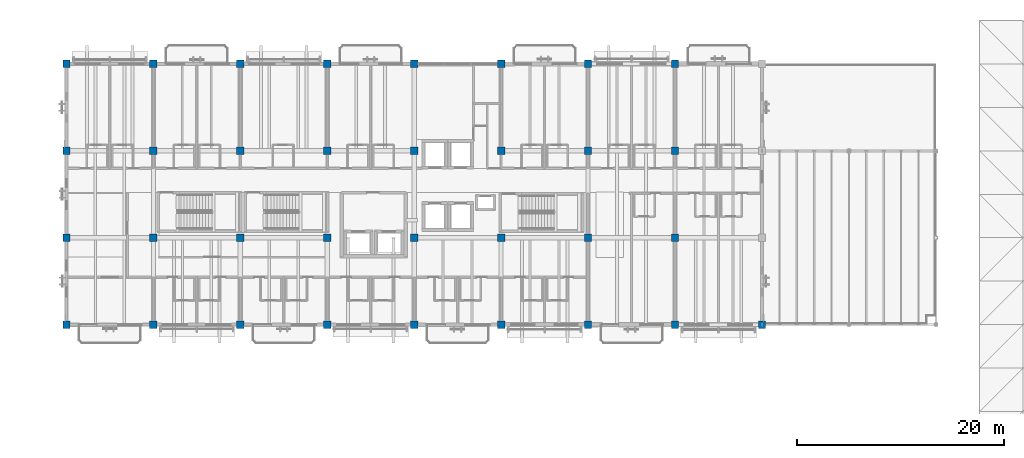
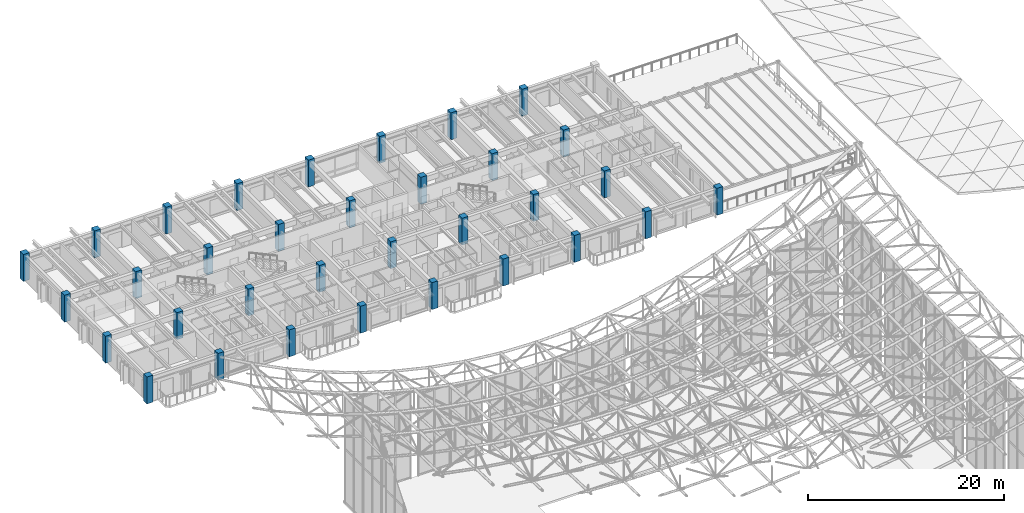
# One storey, part 1 of 93: 33 columns.
"""IFC4 building model written with IfcOpenShell, lengths in metres."""

from ifc_helpers import new_model, si_unit, direction, frame, origin, origin_2d, place, context, subcontext, project, spatial, rectangle, extrude, material, material_profile, profile_set, type_object, element, save


model = new_model("IFC4")

# Units and contexts
model_context = context("Model", 3, precision=1e-05, world=origin(), true_north=direction((0.0, 1.0)))
body_context = subcontext(model_context, "Body", "Model", "MODEL_VIEW")
ifc_project = project(units=[si_unit("LENGTHUNIT", "METRE"), si_unit("AREAUNIT", "SQUARE_METRE"), si_unit("VOLUMEUNIT", "CUBIC_METRE"), si_unit("PLANEANGLEUNIT", "RADIAN"), si_unit("MASSUNIT", "GRAM", prefix="KILO")], contexts=[model_context])

# Site, building, storey
site_placement = place(None, origin())
site = spatial("IfcSite", under=ifc_project, at=site_placement, CompositionType="ELEMENT")
building_placement = place(site_placement, origin())
building = spatial("IfcBuilding", under=site, at=building_placement, Name="Cumbredor Promenade Congress Hotel", CompositionType="ELEMENT")
storey_placement = place(building_placement, frame((0.0, 0.0, 21.840087890625)))
storey = spatial("IfcBuildingStorey", under=building, at=storey_placement, Name="L06", CompositionType="ELEMENT", Elevation=21.840087890625)

# Columns
ifc_material = material(Name="Concrete C40/50", Category="concrete")
ifc_material_profile = material_profile(ifc_material, rectangle(XDim=0.699951171875, YDim=0.699951171875, at=origin_2d()), Name="RC 700x700")
ifc_profile_set = profile_set([ifc_material_profile], Name="Concrete C40/50")
column_type = type_object("IfcColumnType", Name="COL-RC-700", PredefinedType="COLUMN", material=ifc_profile_set)
for number, where, z_axis, x_axis, name in (
    (1, (0.0, 92.39990234375, 0.0), (0.0, 0.0, 1.0), (1.0, 0.0, 0.0), "L06 Structural Column 001"),
    (2, (0.0, 100.800048828125, 0.0), (0.0, 0.0, 1.0), (1.0, 0.0, 0.0), "L06 Structural Column 002"),
    (3, (0.0, 109.199951171875, 0.0), (0.0, 0.0, 1.0), (1.0, 0.0, 0.0), "L06 Structural Column 003"),
    (4, (0.0, 117.60009765625, 0.0), (0.0, 0.0, 1.0), (1.0, 0.0, 0.0), "L06 Structural Column 004"),
    (5, (8.39990234375, 92.39990234375, 0.0), (0.0, 0.0, 1.0), (1.0, 0.0, 0.0), "L06 Structural Column 005"),
    (6, (8.39990234375, 100.800048828125, 0.0), (0.0, 0.0, 1.0), (1.0, 0.0, 0.0), "L06 Structural Column 006"),
    (7, (8.39990234375, 109.199951171875, 0.0), (0.0, 0.0, 1.0), (1.0, 0.0, 0.0), "L06 Structural Column 007"),
    (8, (8.39990234375, 117.60009765625, 0.0), (0.0, 0.0, 1.0), (1.0, 0.0, 0.0), "L06 Structural Column 008"),
    (9, (16.800048828125, 92.39990234375, 0.0), (0.0, 0.0, 1.0), (1.0, 0.0, 0.0), "L06 Structural Column 009"),
    (10, (16.800048828125, 100.800048828125, 0.0), (0.0, 0.0, 1.0), (1.0, 0.0, 0.0), "L06 Structural Column 010"),
    (11, (16.800048828125, 109.199951171875, 0.0), (0.0, 0.0, 1.0), (1.0, 0.0, 0.0), "L06 Structural Column 011"),
    (12, (16.800048828125, 117.60009765625, 0.0), (0.0, 0.0, 1.0), (1.0, 0.0, 0.0), "L06 Structural Column 012"),
    (13, (25.199951171875, 92.39990234375, 0.0), (0.0, 0.0, 1.0), (1.0, 0.0, 0.0), "L06 Structural Column 013"),
    (14, (25.199951171875, 100.800048828125, 0.0), (0.0, 0.0, 1.0), (1.0, 0.0, 0.0), "L06 Structural Column 014"),
    (15, (25.199951171875, 109.199951171875, 0.0), (0.0, 0.0, 1.0), (1.0, 0.0, 0.0), "L06 Structural Column 015"),
    (16, (25.199951171875, 117.60009765625, 0.0), (0.0, 0.0, 1.0), (1.0, 0.0, 0.0), "L06 Structural Column 016"),
    (17, (33.60009765625, 92.39990234375, 0.0), (0.0, 0.0, 1.0), (1.0, 0.0, 0.0), "L06 Structural Column 017"),
    (18, (33.60009765625, 100.800048828125, 0.0), (0.0, 0.0, 1.0), (1.0, 0.0, 0.0), "L06 Structural Column 018"),
    (19, (33.60009765625, 109.199951171875, 0.0), (0.0, 0.0, 1.0), (1.0, 0.0, 0.0), "L06 Structural Column 019"),
    (20, (33.60009765625, 117.60009765625, 0.0), (0.0, 0.0, 1.0), (1.0, 0.0, 0.0), "L06 Structural Column 020"),
    (21, (42.0, 92.39990234375, 0.0), (0.0, 0.0, 1.0), (1.0, 0.0, 0.0), "L06 Structural Column 021"),
    (22, (42.0, 100.800048828125, 0.0), (0.0, 0.0, 1.0), (1.0, 0.0, 0.0), "L06 Structural Column 022"),
    (23, (42.0, 109.199951171875, 0.0), (0.0, 0.0, 1.0), (1.0, 0.0, 0.0), "L06 Structural Column 023"),
    (24, (42.0, 117.60009765625, 0.0), (0.0, 0.0, 1.0), (1.0, 0.0, 0.0), "L06 Structural Column 024"),
    (25, (50.39990234375, 92.39990234375, 0.0), (0.0, 0.0, 1.0), (1.0, 0.0, 0.0), "L06 Structural Column 025"),
    (26, (50.39990234375, 100.800048828125, 0.0), (0.0, 0.0, 1.0), (1.0, 0.0, 0.0), "L06 Structural Column 026"),
    (27, (50.39990234375, 109.199951171875, 0.0), (0.0, 0.0, 1.0), (1.0, 0.0, 0.0), "L06 Structural Column 027"),
    (28, (50.39990234375, 117.60009765625, 0.0), (0.0, 0.0, 1.0), (1.0, 0.0, 0.0), "L06 Structural Column 028"),
    (29, (58.800048828125, 92.39990234375, 0.0), (0.0, 0.0, 1.0), (1.0, 0.0, 0.0), "L06 Structural Column 029"),
    (30, (58.800048828125, 100.800048828125, 0.0), (0.0, 0.0, 1.0), (1.0, 0.0, 0.0), "L06 Structural Column 030"),
    (31, (58.800048828125, 109.199951171875, 0.0), (0.0, 0.0, 1.0), (1.0, 0.0, 0.0), "L06 Structural Column 031"),
    (32, (58.800048828125, 117.60009765625, 0.0), (0.0, 0.0, 1.0), (1.0, 0.0, 0.0), "L06 Structural Column 032"),
    (33, (67.199951171875, 92.39990234375, 0.0), (0.0, 0.0, 1.0), (1.0, 0.0, 0.0), "L06 Structural Column 033"),
):
    element("IfcColumn", number, at=place(storey_placement, frame(where, z_axis=z_axis, x_axis=x_axis)), inside=storey, type_object=column_type, Name=name, PredefinedType="COLUMN", context=body_context, shape_type="SweptSolid", body=[
        extrude(rectangle(XDim=0.699951171875, YDim=0.699951171875, at=origin_2d()), origin(), (0.0, 0.0, 1.0), 3.35986328125),
    ])

save(model, "model.ifc")
